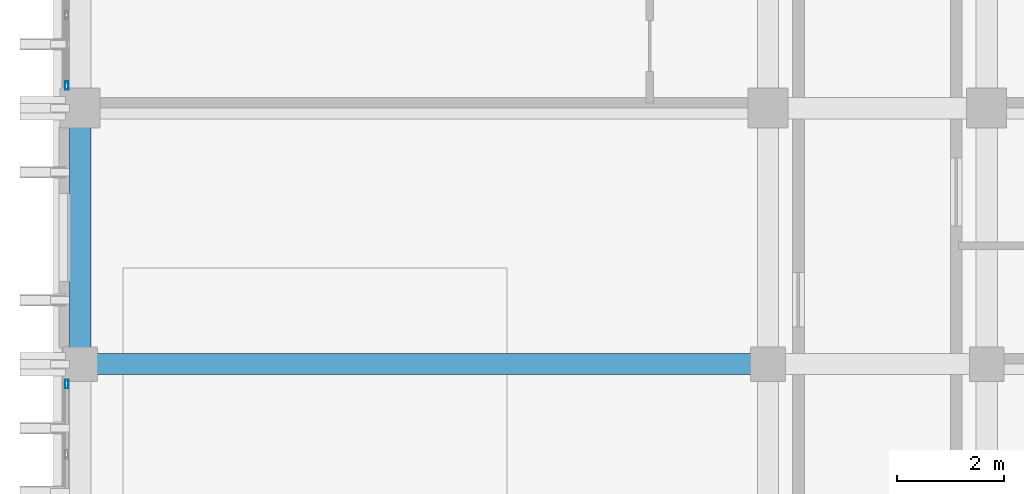
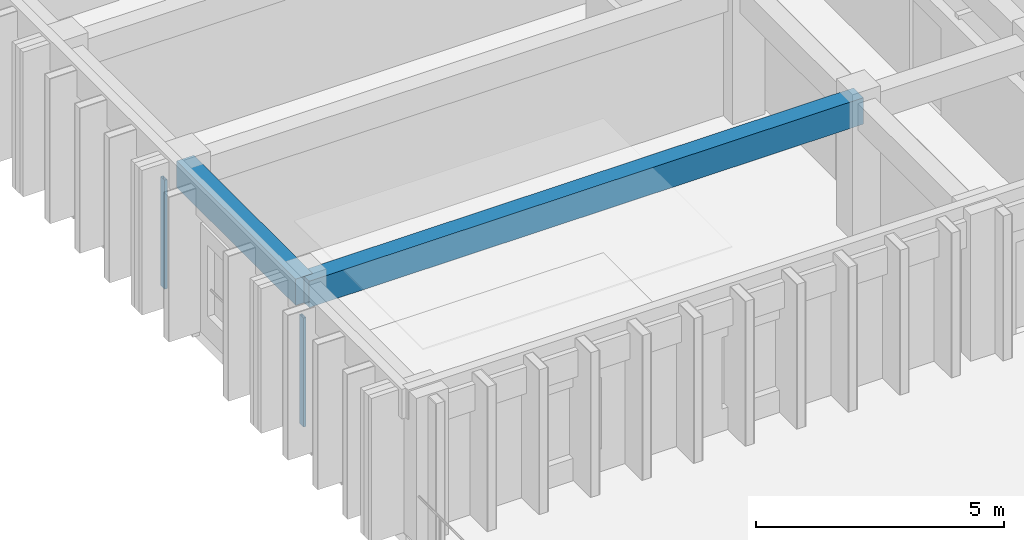
# One storey, part 4 of 64: 2 beams, 2 members, 2 elements without a shape of their own.
"""IFC4 building model written with IfcOpenShell, lengths in metres."""

from ifc_helpers import new_model, si_unit, direction, frame, origin, origin_2d, place, context, subcontext, project, spatial, rectangle, hollow_rectangle, extrude, material, layer, layer_set, material_profile, profile_set, type_object, element, aggregate, save


model = new_model("IFC4")

# Units and contexts
model_context = context("Model", 3, precision=1e-05, world=origin(), true_north=direction((0.0, 1.0)))
body_context = subcontext(model_context, "Body", "Model", "MODEL_VIEW")
ifc_project = project(units=[si_unit("LENGTHUNIT", "METRE"), si_unit("AREAUNIT", "SQUARE_METRE"), si_unit("VOLUMEUNIT", "CUBIC_METRE"), si_unit("PLANEANGLEUNIT", "RADIAN"), si_unit("MASSUNIT", "GRAM", prefix="KILO")], contexts=[model_context])

# Site, building, storey
site_placement = place(None, origin())
site = spatial("IfcSite", under=ifc_project, at=site_placement, CompositionType="ELEMENT")
building_placement = place(site_placement, origin())
building = spatial("IfcBuilding", under=site, at=building_placement, Name="Nakhvara Creek Congress Hotel", CompositionType="ELEMENT")
storey_placement = place(building_placement, frame((0.0, 0.0, 28.199951171875)))
storey = spatial("IfcBuildingStorey", under=building, at=storey_placement, Name="L06", CompositionType="ELEMENT", Elevation=28.199951171875)

# Beams
ifc_material_1 = material(Name="Concrete C40/50", Category="concrete")
ifc_material_profile_1 = material_profile(ifc_material_1, rectangle(XDim=0.39990234375, YDim=0.64990234375, at=origin_2d()), Name="RC-BM 400x650", Category="LoadBearing")
ifc_profile_set_1 = profile_set([ifc_material_profile_1], Name="Concrete C40/50")
beam_type = type_object("IfcBeamType", Name="BM-RC-400X650", PredefinedType="BEAM", material=ifc_profile_set_1)
beam_1_placement = place(storey_placement, frame((149.449951171875, 43.199951171875, 3.01513671875), z_axis=(0.0, 1.0, 0.0), x_axis=(-1.0, 0.0, 0.0)))
element("IfcBeam", 1, at=beam_1_placement, inside=storey, type_object=beam_type, Name="Beam B06-L06-2196", PredefinedType="BEAM", context=body_context, shape_type="SweptSolid", body=[
    extrude(rectangle(XDim=0.39990234375, YDim=0.64990234375, at=origin_2d()), origin(), (0.0, 0.0, 1.0), 4.800048828125),
])
beam_2_placement = place(storey_placement, frame((149.449951171875, 43.199951171875, 3.01513671875), z_axis=(1.0, 0.0, 0.0), x_axis=(0.0, 1.0, 0.0)))
element("IfcBeam", 2, at=beam_2_placement, inside=storey, type_object=beam_type, Name="Beam B06-L06-2293", PredefinedType="BEAM", context=body_context, shape_type="SweptSolid", body=[
    extrude(rectangle(XDim=0.39990234375, YDim=0.64990234375, at=origin_2d()), origin(), (0.0, 0.0, 1.0), 12.900146484375),
])

# Curtain wall, member
ifc_material_2 = material(Name="Bronze-anodised aluminium AW-6063-T6 and double-silver low-E glass", Category="aluminium")
ifc_layer = layer(ifc_material_2, 0.199951171875)
ifc_layer_set = layer_set([ifc_layer], Name="Bronze-anodised aluminium AW-6063-T6 and double-silver low-E glass")
curtain_wall_type = type_object("IfcCurtainWallType", Name="CW-HTL-UNIT", PredefinedType="USERDEFINED", material=ifc_layer_set)
curtain_wall_1_placement = place(storey_placement, origin())
curtain_wall_1 = element("IfcCurtainWall", 3, at=curtain_wall_1_placement, inside=storey, type_object=curtain_wall_type, Name="Curtain Wall CW230", ObjectType="UNITISED", PredefinedType="USERDEFINED")
ifc_material_3 = material(Name="Bronze-anodised aluminium AW-6063-T6", Category="aluminium")
ifc_material_profile_2 = material_profile(ifc_material_3, hollow_rectangle(XDim=0.06494140625, YDim=0.159912109375, WallThickness=0.00390625, at=origin_2d()), Name="ALU-MULL 65x160x4", Category="LoadBearing")
ifc_profile_set_2 = profile_set([ifc_material_profile_2], Name="Bronze-anodised aluminium AW-6063-T6")
member_type = type_object("IfcMemberType", Name="CW-MULL-160", PredefinedType="MULLION", material=ifc_profile_set_2)
member_1_placement = place(storey_placement, frame((149.199951171875, 42.827392578125, 0.0), z_axis=(0.0, 0.0, 1.0), x_axis=(-1.0, 0.0, 0.0)))
member_1 = element("IfcMember", 4, at=member_1_placement, type_object=member_type, Name="CW230 mullion 4", PredefinedType="MULLION", context=body_context, shape_type="SweptSolid", body=[
    extrude(hollow_rectangle(XDim=0.06494140625, YDim=0.159912109375, WallThickness=0.00390625, at=origin_2d()), origin(), (0.0, 0.0, 1.0), 2.68212890625),
])
aggregate(curtain_wall_1, [member_1])

curtain_wall_2_placement = place(storey_placement, origin())
curtain_wall_2 = element("IfcCurtainWall", 5, at=curtain_wall_2_placement, inside=storey, type_object=curtain_wall_type, Name="Curtain Wall CW232", ObjectType="UNITISED", PredefinedType="USERDEFINED")
member_2_placement = place(storey_placement, frame((149.199951171875, 48.422607421875, 0.0), z_axis=(0.0, 0.0, 1.0), x_axis=(-1.0, 0.0, 0.0)))
member_2 = element("IfcMember", 6, at=member_2_placement, type_object=member_type, Name="CW232 mullion 1", PredefinedType="MULLION", context=body_context, shape_type="SweptSolid", body=[
    extrude(hollow_rectangle(XDim=0.06494140625, YDim=0.159912109375, WallThickness=0.00390625, at=origin_2d()), origin(), (0.0, 0.0, 1.0), 2.68212890625),
])
aggregate(curtain_wall_2, [member_2])

save(model, "model.ifc")
